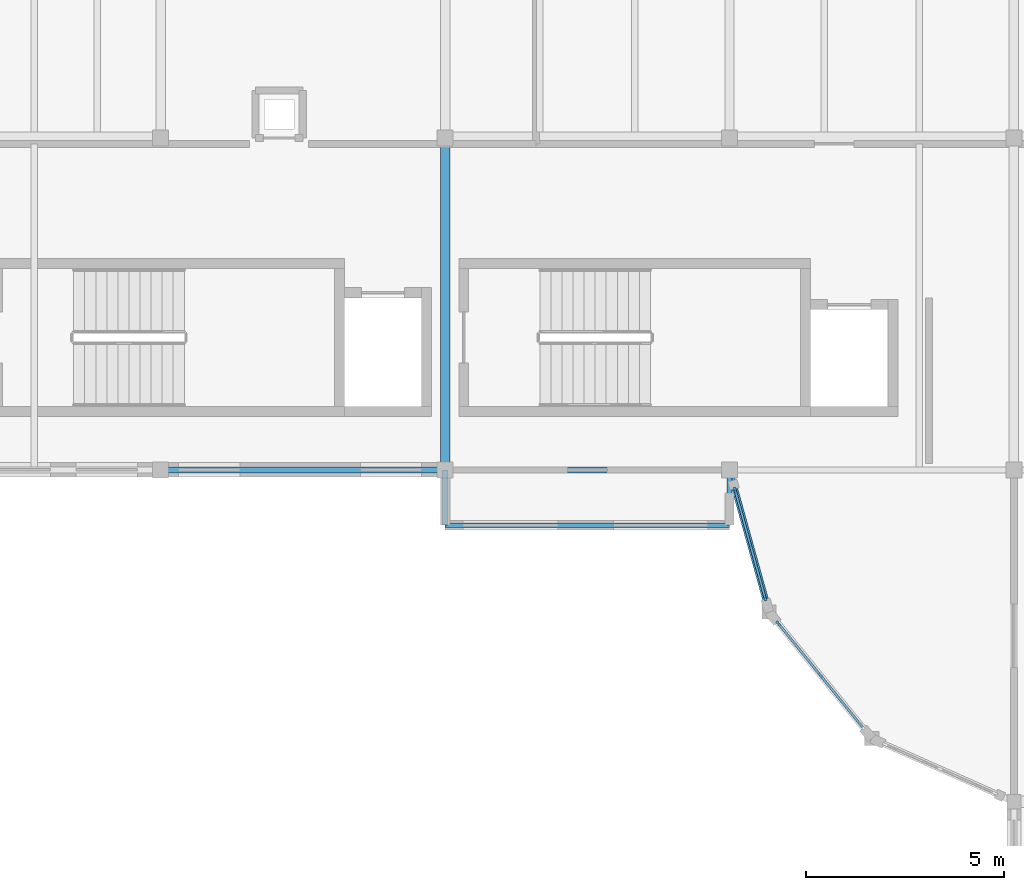
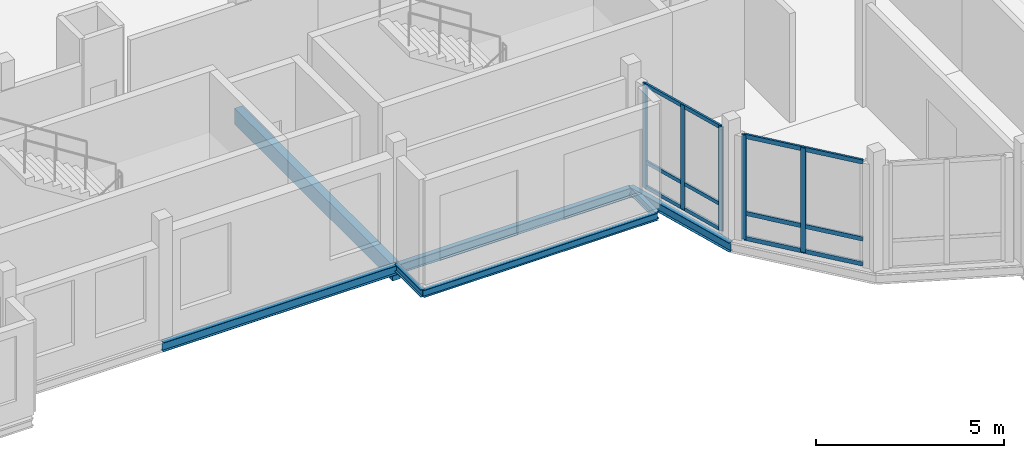
# One storey, part 14 of 34: 11 members, 7 beams, 2 elements without a shape of their own.
"""IFC4 building model written with IfcOpenShell, lengths in metres."""

from ifc_helpers import new_model, si_unit, direction, frame, origin, origin_2d, place, context, subcontext, project, spatial, rectangle, i_section, extrude, material, material_profile, profile_set, type_object, element, aggregate, save


model = new_model("IFC4")

# Units and contexts
model_context = context("Model", 3, precision=1e-05, world=origin(), true_north=direction((0.0, 1.0)))
body_context = subcontext(model_context, "Body", "Model", "MODEL_VIEW")
ifc_project = project(units=[si_unit("LENGTHUNIT", "METRE"), si_unit("AREAUNIT", "SQUARE_METRE"), si_unit("VOLUMEUNIT", "CUBIC_METRE"), si_unit("PLANEANGLEUNIT", "RADIAN"), si_unit("MASSUNIT", "GRAM", prefix="KILO")], contexts=[model_context])

# Site, building, storey
site_placement = place(None, origin())
site = spatial("IfcSite", under=ifc_project, at=site_placement, CompositionType="ELEMENT")
building_placement = place(site_placement, origin())
building = spatial("IfcBuilding", under=site, at=building_placement, Name="Kahlenmark Community Centre", CompositionType="ELEMENT")
storey_placement = place(building_placement, frame((0.0, 0.0, 17.699951171875)))
storey = spatial("IfcBuildingStorey", under=building, at=storey_placement, Name="L04", CompositionType="ELEMENT", Elevation=17.699951171875)

# Beams
ifc_material_1 = material(Name="Glulam GL32h", Category="wood")
ifc_material_profile_1 = material_profile(ifc_material_1, rectangle(XDim=0.239990234375, YDim=0.52001953125, at=origin_2d()), Name="GL32h 240x520")
ifc_profile_set_1 = profile_set([ifc_material_profile_1], Name="Glulam GL32h")
beam_type_1 = type_object("IfcBeamType", Name="BT-BEAM-GL32h240x520", PredefinedType="BEAM", material=ifc_profile_set_1)
beam_1_placement = place(storey_placement, frame((58.0, 97.60009765625, -0.47998046875), z_axis=(0.0, 1.0, 0.0), x_axis=(-1.0, 0.0, 0.0)))
element("IfcBeam", 1, at=beam_1_placement, inside=storey, type_object=beam_type_1, Name="L04 beam BG-GL32h240x520", PredefinedType="BEAM", context=body_context, shape_type="SweptSolid", body=[
    extrude(rectangle(XDim=0.239990234375, YDim=0.52001953125, at=origin_2d()), origin(), (0.0, 0.0, 1.0), 8.39990234375),
])
ifc_material_2 = material(Name="Steel S355", Category="steel")
ifc_material_profile_2 = material_profile(ifc_material_2, i_section(OverallWidth=0.1201171875, OverallDepth=0.239990234375, WebThickness=0.006103515625, FlangeThickness=0.009765625, at=origin_2d()), Name="IPE 240")
ifc_profile_set_2 = profile_set([ifc_material_profile_2], Name="Steel S355")
beam_type_2 = type_object("IfcBeamType", Name="BT-BEAM-IPE240", PredefinedType="BEAM", material=ifc_profile_set_2)
for number, where, z_axis, x_axis, name in (
    (2, (58.0, 96.199951171875, -0.320068359375), (0.0, 1.0, 0.0), (-1.0, 0.0, 0.0), "L04 beam BG-IPE240"),
    (3, (65.199951171875, 96.199951171875, -0.320068359375), (0.0, 1.0, 0.0), (-1.0, 0.0, 0.0), "L04 beam BG-IPE240"),
):
    element("IfcBeam", number, at=place(storey_placement, frame(where, z_axis=z_axis, x_axis=x_axis)), inside=storey, type_object=beam_type_2, Name=name, PredefinedType="BEAM", context=body_context, shape_type="SweptSolid", body=[
        extrude(i_section(OverallWidth=0.1201171875, OverallDepth=0.239990234375, WebThickness=0.006103515625, FlangeThickness=0.009765625, at=origin_2d()), origin(), (0.0, 0.0, 1.0), 1.400146484375),
    ])
ifc_material_profile_3 = material_profile(ifc_material_2, i_section(OverallWidth=0.1201171875, OverallDepth=0.239990234375, WebThickness=0.006103515625, FlangeThickness=0.009765625, at=origin_2d()), Name="IPE 240")
ifc_profile_set_3 = profile_set([ifc_material_profile_3], Name="Steel S355")
beam_type_3 = type_object("IfcBeamType", Name="BT-SPANDREL-IPE240", PredefinedType="SPANDREL", material=ifc_profile_set_3)
beam_2_placement = place(storey_placement, frame((58.0, 96.199951171875, -0.320068359375), z_axis=(1.0, 0.0, 0.0), x_axis=(0.0, 1.0, 0.0)))
element("IfcBeam", 4, at=beam_2_placement, inside=storey, type_object=beam_type_3, Name="L04 spandrel SP-IPE240", PredefinedType="SPANDREL", context=body_context, shape_type="SweptSolid", body=[
    extrude(i_section(OverallWidth=0.1201171875, OverallDepth=0.239990234375, WebThickness=0.006103515625, FlangeThickness=0.009765625, at=origin_2d()), origin(), (0.0, 0.0, 1.0), 7.199951171875),
])
ifc_material_profile_4 = material_profile(ifc_material_2, i_section(OverallWidth=0.14990234375, OverallDepth=0.300048828125, WebThickness=0.007080078125, FlangeThickness=0.0107421875, at=origin_2d()), Name="IPE 300")
ifc_profile_set_4 = profile_set([ifc_material_profile_4], Name="Steel S355")
beam_type_4 = type_object("IfcBeamType", Name="BT-SPANDREL-IPE300", PredefinedType="SPANDREL", material=ifc_profile_set_4)
for number, where, z_axis, x_axis, name in (
    (5, (50.800048828125, 97.60009765625, -0.369873046875), (1.0, 0.0, 0.0), (0.0, 1.0, 0.0), "L04 spandrel SP-IPE300"),
    (6, (58.0, 97.60009765625, -0.369873046875), (1.0, 0.0, 0.0), (0.0, 1.0, 0.0), "L04 spandrel SP-IPE300"),
):
    element("IfcBeam", number, at=place(storey_placement, frame(where, z_axis=z_axis, x_axis=x_axis)), inside=storey, type_object=beam_type_4, Name=name, PredefinedType="SPANDREL", context=body_context, shape_type="SweptSolid", body=[
        extrude(i_section(OverallWidth=0.14990234375, OverallDepth=0.300048828125, WebThickness=0.007080078125, FlangeThickness=0.0107421875, at=origin_2d()), origin(), (0.0, 0.0, 1.0), 7.199951171875),
    ])
beam_3_placement = place(storey_placement, frame((65.199951171875, 97.60009765625, -0.349853515625), z_axis=(0.267637123724, -0.963519781844, 0.0), x_axis=(0.963519781844, 0.267637123724, 0.0)))
element("IfcBeam", 7, at=beam_3_placement, inside=storey, type_object=beam_type_4, Name="L04 spandrel SP-IPE300", PredefinedType="SPANDREL", context=body_context, shape_type="SweptSolid", body=[
    extrude(i_section(OverallWidth=0.14990234375, OverallDepth=0.300048828125, WebThickness=0.007080078125, FlangeThickness=0.0107421875, at=origin_2d()), origin(), (0.0, 0.0, 1.0), 3.736328125),
])

# Curtain wall, members
ifc_material_3 = material(Name="Anodised aluminium unitised curtain wall", Category="aluminium")
curtain_wall_type_1 = type_object("IfcCurtainWallType", Name="CWT-UNIT-290X339", PredefinedType="USERDEFINED", material=ifc_material_3)
curtain_wall_1_placement = place(storey_placement, origin())
curtain_wall_1 = element("IfcCurtainWall", 8, at=curtain_wall_1_placement, inside=storey, type_object=curtain_wall_type_1, Name="Unitised curtain wall CW-185", ObjectType="UNITISED CURTAIN WALL", PredefinedType="USERDEFINED")
ifc_material_4 = material(Name="Anodised aluminium 6063-T6", Category="aluminium")
ifc_material_profile_5 = material_profile(ifc_material_4, rectangle(XDim=0.06005859375, YDim=0.139892578125, at=origin_2d()), Name="ALU MULLION 60x140")
ifc_profile_set_5 = profile_set([ifc_material_profile_5], Name="Anodised aluminium 6063-T6")
member_type_1 = type_object("IfcMemberType", Name="MT-MUL-140", PredefinedType="MULLION", material=ifc_profile_set_5)
member_1_placement = place(storey_placement, frame((65.341796875, 97.08935546875, 0.0), z_axis=(0.0, 0.0, 1.0), x_axis=(0.963515158188, 0.26765376878, 0.0)))
member_1 = element("IfcMember", 9, at=member_1_placement, type_object=member_type_1, Name="CW-185 mullion 1", PredefinedType="MULLION", context=body_context, shape_type="SweptSolid", body=[
    extrude(rectangle(XDim=0.06005859375, YDim=0.139892578125, at=origin_2d()), origin(), (0.0, 0.0, 1.0), 3.39013671875),
])
member_2_placement = place(storey_placement, frame((65.721435546875, 95.722900390625, 0.0), z_axis=(0.0, 0.0, 1.0), x_axis=(0.963515158188, 0.26765376878, 0.0)))
member_2 = element("IfcMember", 10, at=member_2_placement, type_object=member_type_1, Name="CW-185 mullion 2", PredefinedType="MULLION", context=body_context, shape_type="SweptSolid", body=[
    extrude(rectangle(XDim=0.06005859375, YDim=0.139892578125, at=origin_2d()), origin(), (0.0, 0.0, 1.0), 3.39013671875),
])
member_3_placement = place(storey_placement, frame((66.10107421875, 94.3564453125, 0.0), z_axis=(0.0, 0.0, 1.0), x_axis=(0.963515158188, 0.26765376878, 0.0)))
member_3 = element("IfcMember", 11, at=member_3_placement, type_object=member_type_1, Name="CW-185 mullion 3", PredefinedType="MULLION", context=body_context, shape_type="SweptSolid", body=[
    extrude(rectangle(XDim=0.06005859375, YDim=0.139892578125, at=origin_2d()), origin(), (0.0, 0.0, 1.0), 3.39013671875),
])

curtain_wall_type_2 = type_object("IfcCurtainWallType", Name="CWT-UNIT-344X339", PredefinedType="USERDEFINED", material=ifc_material_3)
curtain_wall_2_placement = place(storey_placement, origin())
curtain_wall_2 = element("IfcCurtainWall", 12, at=curtain_wall_2_placement, inside=storey, type_object=curtain_wall_type_2, Name="Unitised curtain wall CW-186", ObjectType="UNITISED CURTAIN WALL", PredefinedType="USERDEFINED")
member_4_placement = place(storey_placement, frame((66.433349609375, 93.712890625, 0.0), z_axis=(0.0, 0.0, 1.0), x_axis=(0.776109145231, 0.63059860029, 0.0)))
member_4 = element("IfcMember", 13, at=member_4_placement, type_object=member_type_1, Name="CW-186 mullion 1", PredefinedType="MULLION", context=body_context, shape_type="SweptSolid", body=[
    extrude(rectangle(XDim=0.06005859375, YDim=0.139892578125, at=origin_2d()), origin(), (0.0, 0.0, 1.0), 3.39013671875),
])
member_5_placement = place(storey_placement, frame((67.5, 92.39990234375, 0.0), z_axis=(0.0, 0.0, 1.0), x_axis=(0.776109145231, 0.63059860029, 0.0)))
member_5 = element("IfcMember", 14, at=member_5_placement, type_object=member_type_1, Name="CW-186 mullion 2", PredefinedType="MULLION", context=body_context, shape_type="SweptSolid", body=[
    extrude(rectangle(XDim=0.06005859375, YDim=0.139892578125, at=origin_2d()), origin(), (0.0, 0.0, 1.0), 3.39013671875),
])

# Member
ifc_material_profile_6 = material_profile(ifc_material_4, rectangle(XDim=0.06005859375, YDim=0.1201171875, at=origin_2d()), Name="ALU TRANSOM 60x120")
ifc_profile_set_6 = profile_set([ifc_material_profile_6], Name="Anodised aluminium 6063-T6")
member_type_2 = type_object("IfcMemberType", Name="MT-TRN-120", PredefinedType="USERDEFINED", material=ifc_profile_set_6)
member_6_placement = place(storey_placement, frame((65.341796875, 97.08935546875, 0.0400390625), z_axis=(0.267688256657, -0.963505577175, 0.0), x_axis=(0.963505577175, 0.267688256657, 0.0)))
member_6 = element("IfcMember", 15, at=member_6_placement, type_object=member_type_2, Name="CW-185 transom 1", ObjectType="TRANSOM", PredefinedType="USERDEFINED", context=body_context, shape_type="SweptSolid", body=[
    extrude(rectangle(XDim=0.06005859375, YDim=0.1201171875, at=origin_2d()), origin(), (0.0, 0.0, 1.0), 2.83642578125),
])

member_7_placement = place(storey_placement, frame((65.341796875, 97.08935546875, 0.85009765625), z_axis=(0.267688256657, -0.963505577175, 0.0), x_axis=(0.963505577175, 0.267688256657, 0.0)))
member_7 = element("IfcMember", 16, at=member_7_placement, type_object=member_type_2, Name="CW-185 transom 2", ObjectType="TRANSOM", PredefinedType="USERDEFINED", context=body_context, shape_type="SweptSolid", body=[
    extrude(rectangle(XDim=0.06005859375, YDim=0.1201171875, at=origin_2d()), origin(), (0.0, 0.0, 1.0), 2.83642578125),
])

member_8_placement = place(storey_placement, frame((65.341796875, 97.08935546875, 3.35009765625), z_axis=(0.267688256657, -0.963505577175, 0.0), x_axis=(0.963505577175, 0.267688256657, 0.0)))
member_8 = element("IfcMember", 17, at=member_8_placement, type_object=member_type_2, Name="CW-185 transom 3", ObjectType="TRANSOM", PredefinedType="USERDEFINED", context=body_context, shape_type="SweptSolid", body=[
    extrude(rectangle(XDim=0.06005859375, YDim=0.1201171875, at=origin_2d()), origin(), (0.0, 0.0, 1.0), 2.83642578125),
])

aggregate(curtain_wall_1, [member_1, member_2, member_3, member_6, member_7, member_8])

ifc_material_profile_7 = material_profile(ifc_material_4, rectangle(XDim=0.06005859375, YDim=0.139892578125, at=origin_2d()), Name="ALU TRANSOM 60x140")
ifc_profile_set_7 = profile_set([ifc_material_profile_7], Name="Anodised aluminium 6063-T6")
member_type_3 = type_object("IfcMemberType", Name="MT-TRN-140", PredefinedType="USERDEFINED", material=ifc_profile_set_7)
member_9_placement = place(storey_placement, frame((66.433349609375, 93.712890625, 0.0400390625), z_axis=(0.630573607431, -0.776129451581, 0.0), x_axis=(0.776129451581, 0.630573607431, 0.0)))
member_9 = element("IfcMember", 18, at=member_9_placement, type_object=member_type_3, Name="CW-186 transom 1", ObjectType="TRANSOM", PredefinedType="USERDEFINED", context=body_context, shape_type="SweptSolid", body=[
    extrude(rectangle(XDim=0.06005859375, YDim=0.139892578125, at=origin_2d()), origin(), (0.0, 0.0, 1.0), 3.383056640625),
])

member_10_placement = place(storey_placement, frame((66.433349609375, 93.712890625, 0.85009765625), z_axis=(0.630573607431, -0.776129451581, 0.0), x_axis=(0.776129451581, 0.630573607431, 0.0)))
member_10 = element("IfcMember", 19, at=member_10_placement, type_object=member_type_3, Name="CW-186 transom 2", ObjectType="TRANSOM", PredefinedType="USERDEFINED", context=body_context, shape_type="SweptSolid", body=[
    extrude(rectangle(XDim=0.06005859375, YDim=0.139892578125, at=origin_2d()), origin(), (0.0, 0.0, 1.0), 3.383056640625),
])

member_11_placement = place(storey_placement, frame((66.433349609375, 93.712890625, 3.35009765625), z_axis=(0.630573607431, -0.776129451581, 0.0), x_axis=(0.776129451581, 0.630573607431, 0.0)))
member_11 = element("IfcMember", 20, at=member_11_placement, type_object=member_type_3, Name="CW-186 transom 3", ObjectType="TRANSOM", PredefinedType="USERDEFINED", context=body_context, shape_type="SweptSolid", body=[
    extrude(rectangle(XDim=0.06005859375, YDim=0.139892578125, at=origin_2d()), origin(), (0.0, 0.0, 1.0), 3.383056640625),
])

aggregate(curtain_wall_2, [member_4, member_5, member_9, member_10, member_11])

save(model, "model.ifc")
